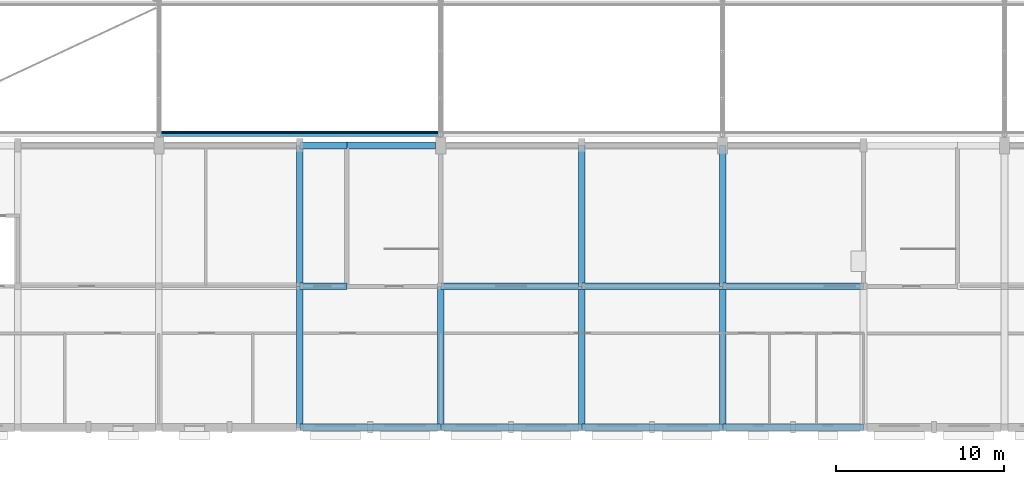
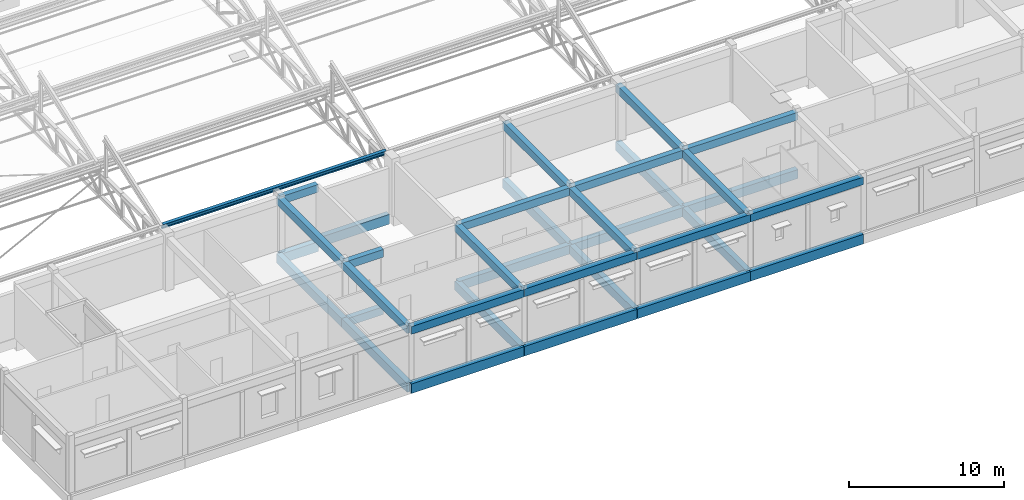
# One storey, part 12 of 101: 33 beams, 1 member.
"""IFC4 building model written with IfcOpenShell, lengths in metres."""

import ifcopenshell
import ifcopenshell.guid

model = None  # the IFC model being written
_history = None  # IfcOwnerHistory: only IFC2X3 demands one
_inside = {}  # id of a spatial element -> (the spatial element, [elements in it])
_under = {}  # id of a project, library or spatial element -> (it, [spatial elements below it])
_declared = {}  # id of a project -> (the project, [libraries it declares])
_typed = {}  # id of a type object -> (the type object, [elements of that type])
_made_of = {}  # id of a material, layer set ... -> (it, [elements and type objects made of it])


def new_model(schema):
    """Start an empty IFC model of exactly this schema.

    Asked for "IFC4X3", IfcOpenShell would pick the latest addendum, in which some entities
    have other attributes; the version numbers below select the first issue.
    IFC2X3 requires an IfcOwnerHistory on every rooted entity: one is made here for all.
    """
    global model, _history
    if schema == "IFC4X3":
        model = ifcopenshell.file(schema_version=(4, 3, 0, 0))
    else:
        model = ifcopenshell.file(schema=schema)
    _inside.clear()
    _under.clear()
    _declared.clear()
    _typed.clear()
    _made_of.clear()
    _history = None
    if model.schema == "IFC2X3":
        org = make("IfcOrganization", Name="unknown")
        user = make(
            "IfcPersonAndOrganization",
            ThePerson=make("IfcPerson", FamilyName="unknown"),
            TheOrganization=org,
        )
        app = make(
            "IfcApplication",
            ApplicationDeveloper=org,
            Version="unknown",
            ApplicationFullName="unknown",
            ApplicationIdentifier="unknown",
        )
        _history = make(
            "IfcOwnerHistory",
            OwningUser=user,
            OwningApplication=app,
            ChangeAction="ADDED",
            CreationDate=0,
        )
    return model


def make(cls, **values):
    """One entity of the class cls with the attributes given. An attribute that is None is left unset."""
    return model.create_entity(
        cls, **{name: value for name, value in values.items() if value is not None}
    )


def rooted(cls, **values):
    """An entity with a GlobalId (a new one), such as an element, a storey or a relation."""
    return make(cls, GlobalId=ifcopenshell.guid.new(), OwnerHistory=_history, **values)


def si_unit(unit_type, name, prefix=None):
    """IfcSIUnit, for example si_unit("LENGTHUNIT", "METRE", prefix="MILLI")."""
    return make("IfcSIUnit", UnitType=unit_type, Prefix=prefix, Name=name)


def assignment(units):
    """IfcUnitAssignment: the units of a project."""
    return None if units is None else make("IfcUnitAssignment", Units=units)


def point(xyz):
    """IfcCartesianPoint."""
    return None if xyz is None else make("IfcCartesianPoint", Coordinates=xyz)


def direction(xyz):
    """IfcDirection."""
    return None if xyz is None else make("IfcDirection", DirectionRatios=xyz)


def frame(location, z_axis=None, x_axis=None):
    """IfcAxis2Placement3D, a coordinate frame: its origin and axes. An axis left out is left unset."""
    return make(
        "IfcAxis2Placement3D",
        Location=point(location),
        Axis=direction(z_axis),
        RefDirection=direction(x_axis),
    )


def frame_2d(location, x_axis=None):
    """IfcAxis2Placement2D, a coordinate frame in the plane: its origin and x axis."""
    return make(
        "IfcAxis2Placement2D", Location=point(location), RefDirection=direction(x_axis)
    )


def origin():
    """The frame at (0, 0, 0) with its axes left unset."""
    return frame((0.0, 0.0, 0.0))


def origin_2d():
    """The frame at (0, 0) in the plane with its x axis left unset."""
    return frame_2d((0.0, 0.0))


def place(relative_to, where):
    """IfcLocalPlacement: puts the frame where relative to a parent placement (None: the world)."""
    return make(
        "IfcLocalPlacement", PlacementRelTo=relative_to, RelativePlacement=where
    )


def context(
    kind, dimensions, precision=None, world=None, true_north=None, identifier=None
):
    """IfcGeometricRepresentationContext, for example the 3D "Model" context."""
    return make(
        "IfcGeometricRepresentationContext",
        ContextIdentifier=identifier,
        ContextType=kind,
        CoordinateSpaceDimension=dimensions,
        Precision=precision,
        WorldCoordinateSystem=world,
        TrueNorth=true_north,
    )


def subcontext(parent, identifier, kind, view, scale=None):
    """IfcGeometricRepresentationSubContext, for example "Body" below "Model"."""
    return make(
        "IfcGeometricRepresentationSubContext",
        ContextIdentifier=identifier,
        ContextType=kind,
        ParentContext=parent,
        TargetScale=scale,
        TargetView=view,
    )


def project(units=None, contexts=None):
    """IfcProject with its units and contexts."""
    return rooted(
        "IfcProject",
        Name="project",
        RepresentationContexts=contexts,
        UnitsInContext=assignment(units),
    )


def spatial(cls, under=None, at=None, **own):
    """A site, building, storey or space (cls), placed at a placement, below another one or the project."""
    s = rooted(cls, ObjectPlacement=at, **own)
    if under is not None:
        _under.setdefault(under.id(), (under, []))[1].append(s)
    return s


def profile(cls, at=None, kind="AREA", **sizes):
    """A parametric profile (cls). Its sizes go by their IFC names, for example OverallWidth=200.0."""
    return make(cls, ProfileType=kind, Position=at, **sizes)


def rectangle(**sizes):
    """IfcRectangleProfileDef."""
    return profile("IfcRectangleProfileDef", **sizes)


def i_section(**sizes):
    """IfcIShapeProfileDef."""
    return profile("IfcIShapeProfileDef", **sizes)


def extrude(swept, where, along, depth):
    """IfcExtrudedAreaSolid: the profile swept, set in the frame where, extruded along a direction by depth."""
    return make(
        "IfcExtrudedAreaSolid",
        SweptArea=swept,
        Position=where,
        ExtrudedDirection=direction(along),
        Depth=depth,
    )


def shape(context_of_items, identifier, shape_type, items):
    """IfcShapeRepresentation: the items that make up one representation, for example the "Body"."""
    return make(
        "IfcShapeRepresentation",
        ContextOfItems=context_of_items,
        RepresentationIdentifier=identifier,
        RepresentationType=shape_type,
        Items=items,
    )


def material(Name=None, Category=None):
    """IfcMaterial."""
    return make("IfcMaterial", Name=Name, Category=Category)


def material_profile(
    of_material, cross_section, Name=None, Category=None, Priority=None
):
    """IfcMaterialProfile: a cross section and its material."""
    return make(
        "IfcMaterialProfile",
        Name=Name,
        Material=of_material,
        Profile=cross_section,
        Priority=Priority,
        Category=Category,
    )


def profile_set(profiles, Name=None, composite=None):
    """IfcMaterialProfileSet."""
    return make(
        "IfcMaterialProfileSet",
        Name=Name,
        MaterialProfiles=profiles,
        CompositeProfile=composite,
    )


def made_of(thing, what):
    """Note that an element or type object is made of a material, layer set ...; save() writes the relation."""
    if what is not None:
        _made_of.setdefault(what.id(), (what, []))[1].append(thing)
    return thing


def type_object(cls, material=None, **own):
    """A type object (cls), such as IfcWallType, which elements share."""
    return made_of(rooted(cls, **own), material)


def element(
    cls,
    number,
    at=None,
    inside=None,
    cuts=None,
    type_object=None,
    material=None,
    context=None,
    identifier="Body",
    shape_type=None,
    held_by="IfcProductDefinitionShape",
    body=None,
    shapes=None,
    **own,
):
    """One element of the class cls, such as IfcWall. Its Tag is "e" and its number.

    at: its placement. inside: the storey or other place that contains it. cuts: it is an
    opening in that element (IfcRelVoidsElement). A single representation is given by context,
    identifier, shape_type and body (its items); several are given by shapes. held_by: the class
    of the entity that holds the representations. save() writes the other relations.
    """
    e = rooted(cls, Tag="e%d" % number, ObjectPlacement=at, **own)
    if body is not None:
        shapes = [shape(context, identifier, shape_type, body)]
    if shapes is not None:
        e.Representation = make(held_by, Representations=shapes)
    if inside is not None:
        _inside.setdefault(inside.id(), (inside, []))[1].append(e)
    if cuts is not None:
        rooted(
            "IfcRelVoidsElement", RelatingBuildingElement=cuts, RelatedOpeningElement=e
        )
    if type_object is not None:
        _typed.setdefault(type_object.id(), (type_object, []))[1].append(e)
    return made_of(e, material)


def aggregate(whole, parts):
    """IfcRelAggregates: a whole, such as a stair, and the parts it consists of."""
    return rooted("IfcRelAggregates", RelatingObject=whole, RelatedObjects=parts)


def save(model, path):
    """Write the relations noted so far, then the file.

    IfcRelAggregates (storeys below a building ...), IfcRelContainedInSpatialStructure (elements
    in a storey), IfcRelDefinesByType, IfcRelAssociatesMaterial and IfcRelDeclares: one each for
    every whole, place, type object, material and project.
    """
    for whole, parts in _under.values():
        aggregate(whole, parts)
    for where, things in _inside.values():
        rooted(
            "IfcRelContainedInSpatialStructure",
            RelatedElements=things,
            RelatingStructure=where,
        )
    for kind, things in _typed.values():
        rooted("IfcRelDefinesByType", RelatedObjects=things, RelatingType=kind)
    for what, things in _made_of.values():
        rooted("IfcRelAssociatesMaterial", RelatedObjects=things, RelatingMaterial=what)
    for by, libraries in _declared.values():
        rooted("IfcRelDeclares", RelatingContext=by, RelatedDefinitions=libraries)
    model.write(path)


model = new_model("IFC4")

# Units and contexts
model_context = context("Model", 3, precision=1e-05, world=origin(), true_north=direction((0.0, 1.0)))
body_context = subcontext(model_context, "Body", "Model", "MODEL_VIEW")
ifc_project = project(units=[si_unit("LENGTHUNIT", "METRE"), si_unit("AREAUNIT", "SQUARE_METRE"), si_unit("VOLUMEUNIT", "CUBIC_METRE"), si_unit("PLANEANGLEUNIT", "RADIAN"), si_unit("MASSUNIT", "GRAM", prefix="KILO")], contexts=[model_context])

# Site, building, storey
site_placement = place(None, origin())
site = spatial("IfcSite", under=ifc_project, at=site_placement, CompositionType="ELEMENT")
building_placement = place(site_placement, origin())
building = spatial("IfcBuilding", under=site, at=building_placement, Name="Fescue Hill Polytechnic", CompositionType="ELEMENT")
storey_placement = place(building_placement, frame((0.0, 0.0, 9.0)))
storey = spatial("IfcBuildingStorey", under=building, at=storey_placement, Name="L02", CompositionType="ELEMENT", Elevation=9.0)

# Beams
ifc_material_1 = material(Name="Concrete 35 MPa", Category="concrete")
ifc_material_profile_1 = material_profile(ifc_material_1, rectangle(XDim=0.39990234375, YDim=0.60009765625, at=origin_2d()), Name="RC 400x600")
ifc_profile_set_1 = profile_set([ifc_material_profile_1], Name="Concrete 35 MPa")
beam_type_1 = type_object("IfcBeamType", Name="Beam RC 400x600", PredefinedType="BEAM", material=ifc_profile_set_1)
beam_1_placement = place(storey_placement, frame((25.2099609375, 8.39990234375, -0.60009765625), z_axis=(1.0, 0.0, 0.0), x_axis=(0.0, 1.0, 0.0)))
element("IfcBeam", 1, at=beam_1_placement, inside=storey, type_object=beam_type_1, Name="BM-L02-0059", PredefinedType="BEAM", context=body_context, shape_type="SweptSolid", body=[
    extrude(rectangle(XDim=0.39990234375, YDim=0.60009765625, at=origin_2d()), origin(), (0.0, 0.0, 1.0), 2.7900390625),
])
beam_2_placement = place(storey_placement, frame((25.199951171875, 0.0, 3.89990234375), z_axis=(0.0, 1.0, 0.0), x_axis=(-1.0, 0.0, 0.0)))
element("IfcBeam", 2, at=beam_2_placement, inside=storey, type_object=beam_type_1, Name="BR-L02-0014", PredefinedType="BEAM", context=body_context, shape_type="SweptSolid", body=[
    extrude(rectangle(XDim=0.39990234375, YDim=0.60009765625, at=origin_2d()), origin(), (0.0, 0.0, 1.0), 8.39990234375),
])
beam_3_placement = place(storey_placement, frame((25.199951171875, 8.39990234375, 3.89990234375), z_axis=(0.0, 1.0, 0.0), x_axis=(-1.0, 0.0, 0.0)))
element("IfcBeam", 3, at=beam_3_placement, inside=storey, type_object=beam_type_1, Name="BR-L02-0015", PredefinedType="BEAM", context=body_context, shape_type="SweptSolid", body=[
    extrude(rectangle(XDim=0.39990234375, YDim=0.60009765625, at=origin_2d()), origin(), (0.0, 0.0, 1.0), 8.400146484375),
])
beam_4_placement = place(storey_placement, frame((25.2099609375, 0.0, 3.89990234375), z_axis=(1.0, 0.0, 0.0), x_axis=(0.0, 1.0, 0.0)))
element("IfcBeam", 4, at=beam_4_placement, inside=storey, type_object=beam_type_1, Name="BR-L02-0016", PredefinedType="BEAM", context=body_context, shape_type="SweptSolid", body=[
    extrude(rectangle(XDim=0.39990234375, YDim=0.60009765625, at=origin_2d()), origin(), (0.0, 0.0, 1.0), 8.380126953125),
])
for number, where, z_axis, x_axis, name in (
    (5, (25.2099609375, 8.39990234375, 3.89990234375), (1.0, 0.0, 0.0), (0.0, 1.0, 0.0), "BR-L02-0017"),
    (6, (25.2099609375, 16.800048828125, 3.89990234375), (1.0, 0.0, 0.0), (0.0, 1.0, 0.0), "BR-L02-0018"),
):
    element("IfcBeam", number, at=place(storey_placement, frame(where, z_axis=z_axis, x_axis=x_axis)), inside=storey, type_object=beam_type_1, Name=name, PredefinedType="BEAM", context=body_context, shape_type="SweptSolid", body=[
        extrude(rectangle(XDim=0.39990234375, YDim=0.60009765625, at=origin_2d()), origin(), (0.0, 0.0, 1.0), 2.7900390625),
    ])
beam_5_placement = place(storey_placement, frame((33.60009765625, 0.0, 3.89990234375), z_axis=(0.0, 1.0, 0.0), x_axis=(-1.0, 0.0, 0.0)))
element("IfcBeam", 7, at=beam_5_placement, inside=storey, type_object=beam_type_1, Name="BR-L02-0019", PredefinedType="BEAM", context=body_context, shape_type="SweptSolid", body=[
    extrude(rectangle(XDim=0.39990234375, YDim=0.60009765625, at=origin_2d()), origin(), (0.0, 0.0, 1.0), 8.39990234375),
])
for number, where, z_axis, x_axis, name in (
    (8, (33.610107421875, 0.0, 3.89990234375), (1.0, 0.0, 0.0), (0.0, 1.0, 0.0), "BR-L02-0021"),
    (9, (33.610107421875, 8.39990234375, 3.89990234375), (1.0, 0.0, 0.0), (0.0, 1.0, 0.0), "BR-L02-0022"),
):
    element("IfcBeam", number, at=place(storey_placement, frame(where, z_axis=z_axis, x_axis=x_axis)), inside=storey, type_object=beam_type_1, Name=name, PredefinedType="BEAM", context=body_context, shape_type="SweptSolid", body=[
        extrude(rectangle(XDim=0.39990234375, YDim=0.60009765625, at=origin_2d()), origin(), (0.0, 0.0, 1.0), 8.3798828125),
    ])
beam_6_placement = place(storey_placement, frame((42.0, 0.0, 3.89990234375), z_axis=(0.0, 1.0, 0.0), x_axis=(-1.0, 0.0, 0.0)))
element("IfcBeam", 10, at=beam_6_placement, inside=storey, type_object=beam_type_1, Name="BR-L02-0023", PredefinedType="BEAM", context=body_context, shape_type="SweptSolid", body=[
    extrude(rectangle(XDim=0.39990234375, YDim=0.60009765625, at=origin_2d()), origin(), (0.0, 0.0, 1.0), 8.39990234375),
])
beam_7_placement = place(storey_placement, frame((42.0, 8.39990234375, 3.89990234375), z_axis=(0.0, 1.0, 0.0), x_axis=(-1.0, 0.0, 0.0)))
element("IfcBeam", 11, at=beam_7_placement, inside=storey, type_object=beam_type_1, Name="BR-L02-0024", PredefinedType="BEAM", context=body_context, shape_type="SweptSolid", body=[
    extrude(rectangle(XDim=0.39990234375, YDim=0.60009765625, at=origin_2d()), origin(), (0.0, 0.0, 1.0), 8.400146484375),
])
for number, where, z_axis, x_axis, name in (
    (12, (42.010009765625, 0.0, 3.89990234375), (1.0, 0.0, 0.0), (0.0, 1.0, 0.0), "BR-L02-0025"),
    (13, (42.010009765625, 8.39990234375, 3.89990234375), (1.0, 0.0, 0.0), (0.0, 1.0, 0.0), "BR-L02-0026"),
):
    element("IfcBeam", number, at=place(storey_placement, frame(where, z_axis=z_axis, x_axis=x_axis)), inside=storey, type_object=beam_type_1, Name=name, PredefinedType="BEAM", context=body_context, shape_type="SweptSolid", body=[
        extrude(rectangle(XDim=0.39990234375, YDim=0.60009765625, at=origin_2d()), origin(), (0.0, 0.0, 1.0), 8.3798828125),
    ])
beam_8_placement = place(storey_placement, frame((50.39990234375, 0.0, 3.89990234375), z_axis=(0.0, 1.0, 0.0), x_axis=(-1.0, 0.0, 0.0)))
element("IfcBeam", 14, at=beam_8_placement, inside=storey, type_object=beam_type_1, Name="BR-L02-0028", PredefinedType="BEAM", context=body_context, shape_type="SweptSolid", body=[
    extrude(rectangle(XDim=0.39990234375, YDim=0.60009765625, at=origin_2d()), origin(), (0.0, 0.0, 1.0), 8.39990234375),
])
beam_9_placement = place(storey_placement, frame((50.39990234375, 8.39990234375, 3.89990234375), z_axis=(0.0, 1.0, 0.0), x_axis=(-1.0, 0.0, 0.0)))
element("IfcBeam", 15, at=beam_9_placement, inside=storey, type_object=beam_type_1, Name="BR-L02-0029", PredefinedType="BEAM", context=body_context, shape_type="SweptSolid", body=[
    extrude(rectangle(XDim=0.39990234375, YDim=0.60009765625, at=origin_2d()), origin(), (0.0, 0.0, 1.0), 8.400146484375),
])
for number, where, z_axis, x_axis, name in (
    (16, (50.409912109375, 0.0, 3.89990234375), (1.0, 0.0, 0.0), (0.0, 1.0, 0.0), "BR-L02-0030"),
    (17, (50.409912109375, 8.39990234375, 3.89990234375), (1.0, 0.0, 0.0), (0.0, 1.0, 0.0), "BR-L02-0031"),
):
    element("IfcBeam", number, at=place(storey_placement, frame(where, z_axis=z_axis, x_axis=x_axis)), inside=storey, type_object=beam_type_1, Name=name, PredefinedType="BEAM", context=body_context, shape_type="SweptSolid", body=[
        extrude(rectangle(XDim=0.39990234375, YDim=0.60009765625, at=origin_2d()), origin(), (0.0, 0.0, 1.0), 8.380126953125),
    ])
ifc_material_profile_2 = material_profile(ifc_material_1, rectangle(XDim=0.39990234375, YDim=0.699951171875, at=origin_2d()), Name="RC 400x700")
ifc_profile_set_2 = profile_set([ifc_material_profile_2], Name="Concrete 35 MPa")
beam_type_2 = type_object("IfcBeamType", Name="Beam RC 400x700", PredefinedType="BEAM", material=ifc_profile_set_2)
beam_10_placement = place(storey_placement, frame((25.199951171875, 0.0, -0.64990234375), z_axis=(0.0, 1.0, 0.0), x_axis=(-1.0, 0.0, 0.0)))
element("IfcBeam", 18, at=beam_10_placement, inside=storey, type_object=beam_type_2, Name="BM-L02-0051", PredefinedType="BEAM", context=body_context, shape_type="SweptSolid", body=[
    extrude(rectangle(XDim=0.39990234375, YDim=0.699951171875, at=origin_2d()), origin(), (0.0, 0.0, 1.0), 8.39990234375),
])
beam_11_placement = place(storey_placement, frame((25.199951171875, 8.39990234375, -0.64990234375), z_axis=(0.0, 1.0, 0.0), x_axis=(-1.0, 0.0, 0.0)))
element("IfcBeam", 19, at=beam_11_placement, inside=storey, type_object=beam_type_2, Name="BM-L02-0052", PredefinedType="BEAM", context=body_context, shape_type="SweptSolid", body=[
    extrude(rectangle(XDim=0.39990234375, YDim=0.699951171875, at=origin_2d()), origin(), (0.0, 0.0, 1.0), 8.400146484375),
])
beam_12_placement = place(storey_placement, frame((33.60009765625, 0.0, -0.64990234375), z_axis=(0.0, 1.0, 0.0), x_axis=(-1.0, 0.0, 0.0)))
element("IfcBeam", 20, at=beam_12_placement, inside=storey, type_object=beam_type_2, Name="BM-L02-0061", PredefinedType="BEAM", context=body_context, shape_type="SweptSolid", body=[
    extrude(rectangle(XDim=0.39990234375, YDim=0.699951171875, at=origin_2d()), origin(), (0.0, 0.0, 1.0), 8.39990234375),
])
beam_13_placement = place(storey_placement, frame((33.610107421875, 8.39990234375, -0.64990234375), z_axis=(1.0, 0.0, 0.0), x_axis=(0.0, 1.0, 0.0)))
element("IfcBeam", 21, at=beam_13_placement, inside=storey, type_object=beam_type_2, Name="BM-L02-0064", PredefinedType="BEAM", context=body_context, shape_type="SweptSolid", body=[
    extrude(rectangle(XDim=0.39990234375, YDim=0.699951171875, at=origin_2d()), origin(), (0.0, 0.0, 1.0), 8.3798828125),
])
beam_14_placement = place(storey_placement, frame((42.0, 0.0, -0.64990234375), z_axis=(0.0, 1.0, 0.0), x_axis=(-1.0, 0.0, 0.0)))
element("IfcBeam", 22, at=beam_14_placement, inside=storey, type_object=beam_type_2, Name="BM-L02-0065", PredefinedType="BEAM", context=body_context, shape_type="SweptSolid", body=[
    extrude(rectangle(XDim=0.39990234375, YDim=0.699951171875, at=origin_2d()), origin(), (0.0, 0.0, 1.0), 8.39990234375),
])
beam_15_placement = place(storey_placement, frame((42.0, 8.39990234375, -0.64990234375), z_axis=(0.0, 1.0, 0.0), x_axis=(-1.0, 0.0, 0.0)))
element("IfcBeam", 23, at=beam_15_placement, inside=storey, type_object=beam_type_2, Name="BM-L02-0066", PredefinedType="BEAM", context=body_context, shape_type="SweptSolid", body=[
    extrude(rectangle(XDim=0.39990234375, YDim=0.699951171875, at=origin_2d()), origin(), (0.0, 0.0, 1.0), 8.400146484375),
])
beam_16_placement = place(storey_placement, frame((42.010009765625, 8.39990234375, -0.64990234375), z_axis=(1.0, 0.0, 0.0), x_axis=(0.0, 1.0, 0.0)))
element("IfcBeam", 24, at=beam_16_placement, inside=storey, type_object=beam_type_2, Name="BM-L02-0068", PredefinedType="BEAM", context=body_context, shape_type="SweptSolid", body=[
    extrude(rectangle(XDim=0.39990234375, YDim=0.699951171875, at=origin_2d()), origin(), (0.0, 0.0, 1.0), 8.3798828125),
])
beam_17_placement = place(storey_placement, frame((50.39990234375, 0.0, -0.64990234375), z_axis=(0.0, 1.0, 0.0), x_axis=(-1.0, 0.0, 0.0)))
element("IfcBeam", 25, at=beam_17_placement, inside=storey, type_object=beam_type_2, Name="BM-L02-0070", PredefinedType="BEAM", context=body_context, shape_type="SweptSolid", body=[
    extrude(rectangle(XDim=0.39990234375, YDim=0.699951171875, at=origin_2d()), origin(), (0.0, 0.0, 1.0), 8.39990234375),
])
beam_18_placement = place(storey_placement, frame((50.39990234375, 8.39990234375, -0.64990234375), z_axis=(0.0, 1.0, 0.0), x_axis=(-1.0, 0.0, 0.0)))
element("IfcBeam", 26, at=beam_18_placement, inside=storey, type_object=beam_type_2, Name="BM-L02-0071", PredefinedType="BEAM", context=body_context, shape_type="SweptSolid", body=[
    extrude(rectangle(XDim=0.39990234375, YDim=0.699951171875, at=origin_2d()), origin(), (0.0, 0.0, 1.0), 8.400146484375),
])
beam_19_placement = place(storey_placement, frame((50.409912109375, 8.39990234375, -0.64990234375), z_axis=(1.0, 0.0, 0.0), x_axis=(0.0, 1.0, 0.0)))
element("IfcBeam", 27, at=beam_19_placement, inside=storey, type_object=beam_type_2, Name="BM-L02-0073", PredefinedType="BEAM", context=body_context, shape_type="SweptSolid", body=[
    extrude(rectangle(XDim=0.39990234375, YDim=0.699951171875, at=origin_2d()), origin(), (0.0, 0.0, 1.0), 8.380126953125),
])
ifc_material_profile_3 = material_profile(ifc_material_1, rectangle(XDim=0.39990234375, YDim=0.75, at=origin_2d()), Name="RC 400x750")
ifc_profile_set_3 = profile_set([ifc_material_profile_3], Name="Concrete 35 MPa")
beam_type_3 = type_object("IfcBeamType", Name="Beam RC 400x750", PredefinedType="BEAM", material=ifc_profile_set_3)
beam_20_placement = place(storey_placement, frame((25.2099609375, 0.0, -0.675048828125), z_axis=(1.0, 0.0, 0.0), x_axis=(0.0, 1.0, 0.0)))
element("IfcBeam", 28, at=beam_20_placement, inside=storey, type_object=beam_type_3, Name="BM-L02-0058", PredefinedType="BEAM", context=body_context, shape_type="SweptSolid", body=[
    extrude(rectangle(XDim=0.39990234375, YDim=0.75, at=origin_2d()), origin(), (0.0, 0.0, 1.0), 8.380126953125),
])
beam_21_placement = place(storey_placement, frame((25.2099609375, 16.800048828125, -0.675048828125), z_axis=(1.0, 0.0, 0.0), x_axis=(0.0, 1.0, 0.0)))
element("IfcBeam", 29, at=beam_21_placement, inside=storey, type_object=beam_type_3, Name="BM-L02-0060", PredefinedType="BEAM", context=body_context, shape_type="SweptSolid", body=[
    extrude(rectangle(XDim=0.39990234375, YDim=0.75, at=origin_2d()), origin(), (0.0, 0.0, 1.0), 2.7900390625),
])
for number, where, z_axis, x_axis, name in (
    (30, (33.610107421875, 0.0, -0.675048828125), (1.0, 0.0, 0.0), (0.0, 1.0, 0.0), "BM-L02-0063"),
    (31, (42.010009765625, 0.0, -0.675048828125), (1.0, 0.0, 0.0), (0.0, 1.0, 0.0), "BM-L02-0067"),
):
    element("IfcBeam", number, at=place(storey_placement, frame(where, z_axis=z_axis, x_axis=x_axis)), inside=storey, type_object=beam_type_3, Name=name, PredefinedType="BEAM", context=body_context, shape_type="SweptSolid", body=[
        extrude(rectangle(XDim=0.39990234375, YDim=0.75, at=origin_2d()), origin(), (0.0, 0.0, 1.0), 8.3798828125),
    ])
beam_22_placement = place(storey_placement, frame((50.409912109375, 0.0, -0.675048828125), z_axis=(1.0, 0.0, 0.0), x_axis=(0.0, 1.0, 0.0)))
element("IfcBeam", 32, at=beam_22_placement, inside=storey, type_object=beam_type_3, Name="BM-L02-0072", PredefinedType="BEAM", context=body_context, shape_type="SweptSolid", body=[
    extrude(rectangle(XDim=0.39990234375, YDim=0.75, at=origin_2d()), origin(), (0.0, 0.0, 1.0), 8.380126953125),
])
beam_23_placement = place(storey_placement, frame((27.875, 16.800048828125, -0.375), z_axis=(1.0, 0.0, 0.0), x_axis=(0.0, 1.0, 0.0)))
element("IfcBeam", 33, at=beam_23_placement, inside=storey, type_object=beam_type_3, Name="BM-L02-0150", PredefinedType="BEAM", context=body_context, shape_type="SweptSolid", body=[
    extrude(rectangle(XDim=0.39990234375, YDim=0.75, at=origin_2d()), origin(), (0.0, 0.0, 1.0), 5.425048828125),
])

# Member
ifc_material_2 = material(Name="Steel 350W (350 MPa)", Category="steel")
ifc_material_profile_4 = material_profile(ifc_material_2, i_section(OverallWidth=0.18994140625, OverallDepth=0.45703125, WebThickness=0.009033203125, FlangeThickness=0.014404296875, FilletRadius=0.0166015625, at=origin_2d()), Name="W460x74")
ifc_profile_set_4 = profile_set([ifc_material_profile_4], Name="Steel 350W (350 MPa)")
member_type = type_object("IfcMemberType", Name="Tooth purlin W460x74", PredefinedType="PURLIN", material=ifc_profile_set_4)
member_placement = place(storey_placement, frame((16.904541015625, 17.5, 4.294921875), z_axis=(1.0, 0.0, 0.0), x_axis=(0.0, 0.941741911595, 0.336336396997)))
element("IfcMember", 34, at=member_placement, inside=storey, type_object=member_type, Name="Tooth 1 purlin 1 bay 2", PredefinedType="PURLIN", context=body_context, shape_type="SweptSolid", body=[
    extrude(i_section(OverallWidth=0.18994140625, OverallDepth=0.45703125, WebThickness=0.009033203125, FlangeThickness=0.014404296875, FilletRadius=0.0166015625, at=origin_2d()), origin(), (0.0, 0.0, 1.0), 16.591064453125),
])

save(model, "model.ifc")
